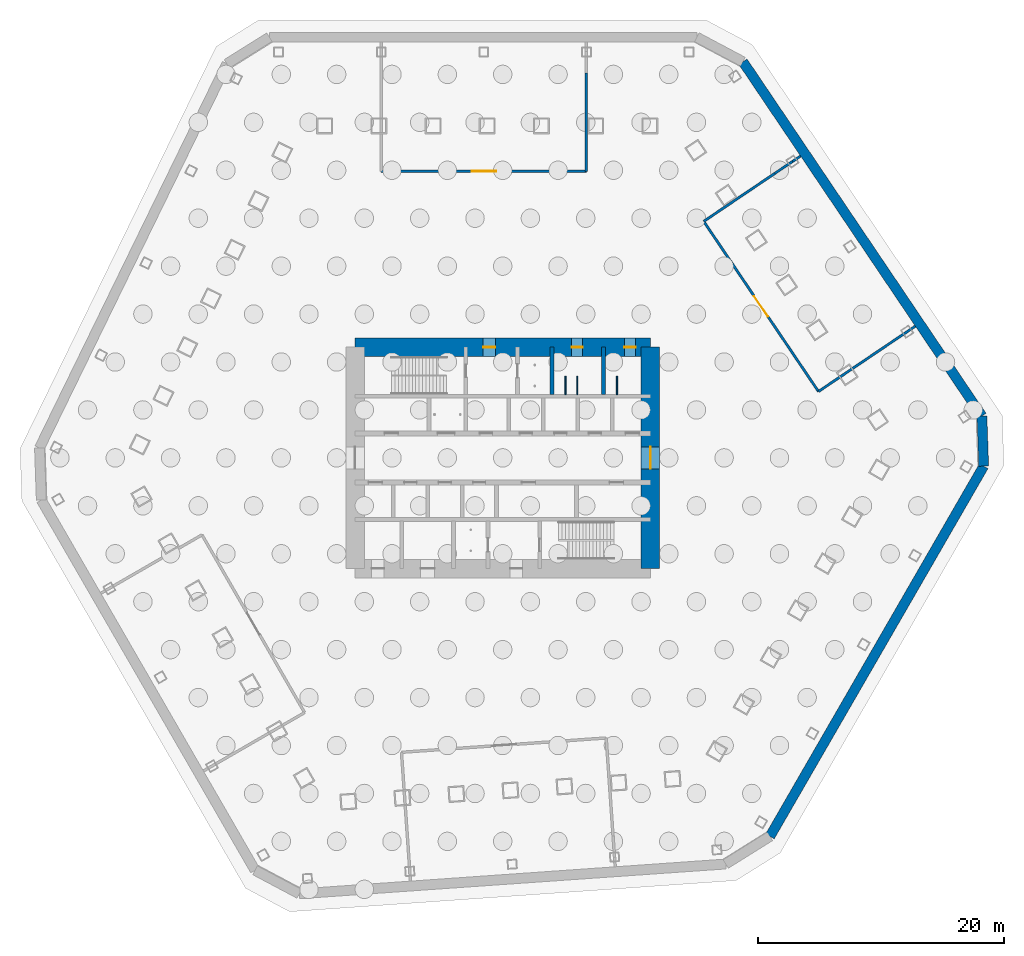
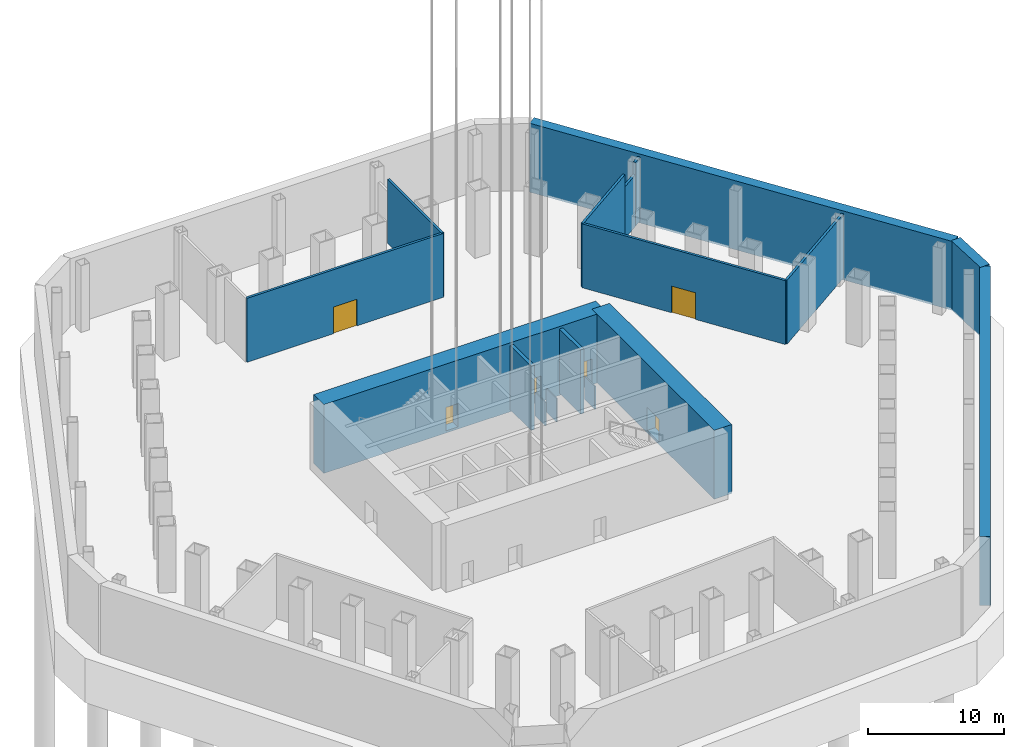
# One storey, part 4 of 12: 17 walls, 6 doors, 6 openings.
"""IFC4 building model written with IfcOpenShell, lengths in metres."""

import ifcopenshell
import ifcopenshell.guid

model = None  # the IFC model being written
_history = None  # IfcOwnerHistory: only IFC2X3 demands one
_inside = {}  # id of a spatial element -> (the spatial element, [elements in it])
_under = {}  # id of a project, library or spatial element -> (it, [spatial elements below it])
_declared = {}  # id of a project -> (the project, [libraries it declares])
_typed = {}  # id of a type object -> (the type object, [elements of that type])
_made_of = {}  # id of a material, layer set ... -> (it, [elements and type objects made of it])


def new_model(schema):
    """Start an empty IFC model of exactly this schema.

    Asked for "IFC4X3", IfcOpenShell would pick the latest addendum, in which some entities
    have other attributes; the version numbers below select the first issue.
    IFC2X3 requires an IfcOwnerHistory on every rooted entity: one is made here for all.
    """
    global model, _history
    if schema == "IFC4X3":
        model = ifcopenshell.file(schema_version=(4, 3, 0, 0))
    else:
        model = ifcopenshell.file(schema=schema)
    _inside.clear()
    _under.clear()
    _declared.clear()
    _typed.clear()
    _made_of.clear()
    _history = None
    if model.schema == "IFC2X3":
        org = make("IfcOrganization", Name="unknown")
        user = make(
            "IfcPersonAndOrganization",
            ThePerson=make("IfcPerson", FamilyName="unknown"),
            TheOrganization=org,
        )
        app = make(
            "IfcApplication",
            ApplicationDeveloper=org,
            Version="unknown",
            ApplicationFullName="unknown",
            ApplicationIdentifier="unknown",
        )
        _history = make(
            "IfcOwnerHistory",
            OwningUser=user,
            OwningApplication=app,
            ChangeAction="ADDED",
            CreationDate=0,
        )
    return model


def make(cls, **values):
    """One entity of the class cls with the attributes given. An attribute that is None is left unset."""
    return model.create_entity(
        cls, **{name: value for name, value in values.items() if value is not None}
    )


def rooted(cls, **values):
    """An entity with a GlobalId (a new one), such as an element, a storey or a relation."""
    return make(cls, GlobalId=ifcopenshell.guid.new(), OwnerHistory=_history, **values)


def si_unit(unit_type, name, prefix=None):
    """IfcSIUnit, for example si_unit("LENGTHUNIT", "METRE", prefix="MILLI")."""
    return make("IfcSIUnit", UnitType=unit_type, Prefix=prefix, Name=name)


def assignment(units):
    """IfcUnitAssignment: the units of a project."""
    return None if units is None else make("IfcUnitAssignment", Units=units)


def point(xyz):
    """IfcCartesianPoint."""
    return None if xyz is None else make("IfcCartesianPoint", Coordinates=xyz)


def direction(xyz):
    """IfcDirection."""
    return None if xyz is None else make("IfcDirection", DirectionRatios=xyz)


def frame(location, z_axis=None, x_axis=None):
    """IfcAxis2Placement3D, a coordinate frame: its origin and axes. An axis left out is left unset."""
    return make(
        "IfcAxis2Placement3D",
        Location=point(location),
        Axis=direction(z_axis),
        RefDirection=direction(x_axis),
    )


def frame_2d(location, x_axis=None):
    """IfcAxis2Placement2D, a coordinate frame in the plane: its origin and x axis."""
    return make(
        "IfcAxis2Placement2D", Location=point(location), RefDirection=direction(x_axis)
    )


def origin():
    """The frame at (0, 0, 0) with its axes left unset."""
    return frame((0.0, 0.0, 0.0))


def place(relative_to, where):
    """IfcLocalPlacement: puts the frame where relative to a parent placement (None: the world)."""
    return make(
        "IfcLocalPlacement", PlacementRelTo=relative_to, RelativePlacement=where
    )


def context(
    kind, dimensions, precision=None, world=None, true_north=None, identifier=None
):
    """IfcGeometricRepresentationContext, for example the 3D "Model" context."""
    return make(
        "IfcGeometricRepresentationContext",
        ContextIdentifier=identifier,
        ContextType=kind,
        CoordinateSpaceDimension=dimensions,
        Precision=precision,
        WorldCoordinateSystem=world,
        TrueNorth=true_north,
    )


def subcontext(parent, identifier, kind, view, scale=None):
    """IfcGeometricRepresentationSubContext, for example "Body" below "Model"."""
    return make(
        "IfcGeometricRepresentationSubContext",
        ContextIdentifier=identifier,
        ContextType=kind,
        ParentContext=parent,
        TargetScale=scale,
        TargetView=view,
    )


def project(units=None, contexts=None):
    """IfcProject with its units and contexts."""
    return rooted(
        "IfcProject",
        Name="project",
        RepresentationContexts=contexts,
        UnitsInContext=assignment(units),
    )


def spatial(cls, under=None, at=None, **own):
    """A site, building, storey or space (cls), placed at a placement, below another one or the project."""
    s = rooted(cls, ObjectPlacement=at, **own)
    if under is not None:
        _under.setdefault(under.id(), (under, []))[1].append(s)
    return s


def profile(cls, at=None, kind="AREA", **sizes):
    """A parametric profile (cls). Its sizes go by their IFC names, for example OverallWidth=200.0."""
    return make(cls, ProfileType=kind, Position=at, **sizes)


def rectangle(**sizes):
    """IfcRectangleProfileDef."""
    return profile("IfcRectangleProfileDef", **sizes)


def extrude(swept, where, along, depth):
    """IfcExtrudedAreaSolid: the profile swept, set in the frame where, extruded along a direction by depth."""
    return make(
        "IfcExtrudedAreaSolid",
        SweptArea=swept,
        Position=where,
        ExtrudedDirection=direction(along),
        Depth=depth,
    )


def shape(context_of_items, identifier, shape_type, items):
    """IfcShapeRepresentation: the items that make up one representation, for example the "Body"."""
    return make(
        "IfcShapeRepresentation",
        ContextOfItems=context_of_items,
        RepresentationIdentifier=identifier,
        RepresentationType=shape_type,
        Items=items,
    )


def material(Name=None, Category=None):
    """IfcMaterial."""
    return make("IfcMaterial", Name=Name, Category=Category)


def layer(
    of_material, thickness, ventilated=None, Name=None, Category=None, Priority=None
):
    """IfcMaterialLayer: one layer of a wall or slab, of a material (None: an air gap)."""
    return make(
        "IfcMaterialLayer",
        Material=of_material,
        LayerThickness=thickness,
        IsVentilated=ventilated,
        Name=Name,
        Category=Category,
        Priority=Priority,
    )


def layer_set(layers, Name=None):
    """IfcMaterialLayerSet."""
    return make("IfcMaterialLayerSet", MaterialLayers=layers, LayerSetName=Name)


def made_of(thing, what):
    """Note that an element or type object is made of a material, layer set ...; save() writes the relation."""
    if what is not None:
        _made_of.setdefault(what.id(), (what, []))[1].append(thing)
    return thing


def type_object(cls, material=None, **own):
    """A type object (cls), such as IfcWallType, which elements share."""
    return made_of(rooted(cls, **own), material)


def element(
    cls,
    number,
    at=None,
    inside=None,
    cuts=None,
    type_object=None,
    material=None,
    context=None,
    identifier="Body",
    shape_type=None,
    held_by="IfcProductDefinitionShape",
    body=None,
    shapes=None,
    **own,
):
    """One element of the class cls, such as IfcWall. Its Tag is "e" and its number.

    at: its placement. inside: the storey or other place that contains it. cuts: it is an
    opening in that element (IfcRelVoidsElement). A single representation is given by context,
    identifier, shape_type and body (its items); several are given by shapes. held_by: the class
    of the entity that holds the representations. save() writes the other relations.
    """
    e = rooted(cls, Tag="e%d" % number, ObjectPlacement=at, **own)
    if body is not None:
        shapes = [shape(context, identifier, shape_type, body)]
    if shapes is not None:
        e.Representation = make(held_by, Representations=shapes)
    if inside is not None:
        _inside.setdefault(inside.id(), (inside, []))[1].append(e)
    if cuts is not None:
        rooted(
            "IfcRelVoidsElement", RelatingBuildingElement=cuts, RelatedOpeningElement=e
        )
    if type_object is not None:
        _typed.setdefault(type_object.id(), (type_object, []))[1].append(e)
    return made_of(e, material)


def fill(opening, filler):
    """IfcRelFillsElement: the door or window that sits in an opening."""
    return rooted(
        "IfcRelFillsElement",
        RelatingOpeningElement=opening,
        RelatedBuildingElement=filler,
    )


def aggregate(whole, parts):
    """IfcRelAggregates: a whole, such as a stair, and the parts it consists of."""
    return rooted("IfcRelAggregates", RelatingObject=whole, RelatedObjects=parts)


def save(model, path):
    """Write the relations noted so far, then the file.

    IfcRelAggregates (storeys below a building ...), IfcRelContainedInSpatialStructure (elements
    in a storey), IfcRelDefinesByType, IfcRelAssociatesMaterial and IfcRelDeclares: one each for
    every whole, place, type object, material and project.
    """
    for whole, parts in _under.values():
        aggregate(whole, parts)
    for where, things in _inside.values():
        rooted(
            "IfcRelContainedInSpatialStructure",
            RelatedElements=things,
            RelatingStructure=where,
        )
    for kind, things in _typed.values():
        rooted("IfcRelDefinesByType", RelatedObjects=things, RelatingType=kind)
    for what, things in _made_of.values():
        rooted("IfcRelAssociatesMaterial", RelatedObjects=things, RelatingMaterial=what)
    for by, libraries in _declared.values():
        rooted("IfcRelDeclares", RelatingContext=by, RelatedDefinitions=libraries)
    model.write(path)


model = new_model("IFC4")

# Units and contexts
model_context = context("Model", 3, precision=1e-05, world=origin(), true_north=direction((0.0, 1.0)))
body_context = subcontext(model_context, "Body", "Model", "MODEL_VIEW")
ifc_project = project(units=[si_unit("LENGTHUNIT", "METRE"), si_unit("AREAUNIT", "SQUARE_METRE"), si_unit("VOLUMEUNIT", "CUBIC_METRE"), si_unit("PLANEANGLEUNIT", "RADIAN"), si_unit("MASSUNIT", "GRAM", prefix="KILO")], contexts=[model_context])

# Site, building, storey
site_placement = place(None, origin())
site = spatial("IfcSite", under=ifc_project, at=site_placement, CompositionType="ELEMENT")
building_placement = place(site_placement, origin())
building = spatial("IfcBuilding", under=site, at=building_placement, Name="Qingtian Harvest Tower", CompositionType="ELEMENT")
storey_placement = place(building_placement, frame((0.0, 0.0, -12.0)))
storey = spatial("IfcBuildingStorey", under=building, at=storey_placement, Name="B2", CompositionType="ELEMENT", Elevation=-12.0)

# Walls
ifc_material_1 = material(Name="Concrete fc' 42 MPa", Category="concrete")
ifc_layer_1 = layer(ifc_material_1, 0.800048828125)
ifc_layer_set_1 = layer_set([ifc_layer_1], Name="Basement retaining wall RW1 800")
wall_type_1 = type_object("IfcWallType", Name="Basement retaining wall RW1 800", PredefinedType="SHEAR", material=ifc_layer_set_1)
wall_1_placement = place(storey_placement, frame((19.526611328125, 32.210205078125, -0.199951171875), z_axis=(0.0, 0.0, 1.0), x_axis=(0.559192197891, -0.829038048474, 0.0)))
element("IfcWall", 1, at=wall_1_placement, inside=storey, type_object=wall_type_1, Name="Retaining wall RW1 B2 3", PredefinedType="SHEAR", context=body_context, shape_type="SweptSolid", body=[
    extrude(rectangle(XDim=34.754638671875, YDim=0.800048828125, at=frame_2d((17.37744140625, 0.0))), origin(), (0.0, 0.0, 1.0), 6.199951171875),
])
wall_2_placement = place(storey_placement, frame((38.961181640625, 3.397216796875, -0.199951171875), z_axis=(0.0, 0.0, 1.0), x_axis=(0.034904306503, -0.999390659046, 0.0)))
element("IfcWall", 2, at=wall_2_placement, inside=storey, type_object=wall_type_1, Name="Retaining wall RW1 B2 4", PredefinedType="SHEAR", context=body_context, shape_type="SweptSolid", body=[
    extrude(rectangle(XDim=4.07080078125, YDim=0.800048828125, at=frame_2d((2.035400390625, 0.0))), origin(), (0.0, 0.0, 1.0), 6.199951171875),
])
wall_3_placement = place(storey_placement, frame((39.103271484375, -0.671142578125, -0.199951171875), z_axis=(0.0, 0.0, 1.0), x_axis=(-0.499999733485, -0.866025557657, 0.0)))
element("IfcWall", 3, at=wall_3_placement, inside=storey, type_object=wall_type_1, Name="Retaining wall RW1 B2 5", PredefinedType="SHEAR", context=body_context, shape_type="SweptSolid", body=[
    extrude(rectangle(XDim=34.7548828125, YDim=0.800048828125, at=frame_2d((17.37744140625, 0.0))), origin(), (0.0, 0.0, 1.0), 6.199951171875),
])
ifc_material_2 = material(Name="Precast concrete shaft panel", Category="concrete")
ifc_layer_2 = layer(ifc_material_2, 0.300048828125)
ifc_layer_set_2 = layer_set([ifc_layer_2], Name="Core shaft partition SW1 300")
wall_type_2 = type_object("IfcWallType", Name="Core shaft partition SW1 300", PredefinedType="PARTITIONING", material=ifc_layer_set_2)
for number, where, z_axis, x_axis, name in (
    (4, (4.0, 5.14990234375, 0.0), (0.0, 0.0, 1.0), (0.0, 1.0, 0.0), "Core shaft partition XN3 B2"),
    (5, (8.199951171875, 5.14990234375, 0.0), (0.0, 0.0, 1.0), (0.0, 1.0, 0.0), "Core shaft partition XN4 B2"),
):
    element("IfcWall", number, at=place(storey_placement, frame(where, z_axis=z_axis, x_axis=x_axis)), inside=storey, type_object=wall_type_2, Name=name, PredefinedType="PARTITIONING", context=body_context, shape_type="SweptSolid", body=[
        extrude(rectangle(XDim=3.85009765625, YDim=0.300048828125, at=frame_2d((1.925048828125, 0.0))), origin(), (0.0, 0.0, 1.0), 5.780029296875),
    ])

# Wall, openings, doors
ifc_material_3 = material(Name="Concrete fc' 70 MPa", Category="concrete")
ifc_layer_3 = layer(ifc_material_3, 1.5)
ifc_layer_set_3 = layer_set([ifc_layer_3], Name="Core wall RC1 1500")
wall_type_3 = type_object("IfcWallType", Name="Core wall RC1 1500", PredefinedType="SHEAR", material=ifc_layer_set_3)
wall_4_placement = place(storey_placement, frame((-12.0, 9.0, -0.199951171875), z_axis=(0.0, 0.0, 1.0), x_axis=(1.0, 0.0, 0.0)))
wall_4 = element("IfcWall", 6, at=wall_4_placement, inside=storey, type_object=wall_type_3, Name="Core wall CN B2", PredefinedType="SHEAR", context=body_context, shape_type="SweptSolid", body=[
    extrude(rectangle(XDim=24.0, YDim=1.5, at=frame_2d((12.0, 0.0))), origin(), (0.0, 0.0, 1.0), 6.199951171875),
])
opening_1_placement = place(wall_4_placement, frame((10.39990234375, 0.0, 0.199951171875)))
opening_1 = element("IfcOpeningElement", 7, at=opening_1_placement, cuts=wall_4, Name="Opening FD1", PredefinedType="OPENING", context=body_context, shape_type="SweptSolid", body=[
    extrude(rectangle(XDim=1.0, YDim=2.10009765625, at=frame_2d((0.5, 1.050048828125))), frame((0.0, 0.760009765625, 0.0), z_axis=(0.0, -1.0, 0.0), x_axis=(1.0, 0.0, 0.0)), (0.0, 0.0, 1.0), 1.52001953125),
])
opening_2_placement = place(wall_4_placement, frame((17.60009765625, 0.0, 0.199951171875)))
opening_2 = element("IfcOpeningElement", 8, at=opening_2_placement, cuts=wall_4, Name="Opening D1", PredefinedType="OPENING", context=body_context, shape_type="SweptSolid", body=[
    extrude(rectangle(XDim=0.89990234375, YDim=2.10009765625, at=frame_2d((0.449951171875, 1.050048828125))), frame((0.0, 0.760009765625, 0.0), z_axis=(0.0, -1.0, 0.0), x_axis=(1.0, 0.0, 0.0)), (0.0, 0.0, 1.0), 1.52001953125),
])
opening_3_placement = place(wall_4_placement, frame((21.89990234375, 0.0, 0.199951171875)))
opening_3 = element("IfcOpeningElement", 9, at=opening_3_placement, cuts=wall_4, Name="Opening D1", PredefinedType="OPENING", context=body_context, shape_type="SweptSolid", body=[
    extrude(rectangle(XDim=0.89990234375, YDim=2.10009765625, at=frame_2d((0.449951171875, 1.050048828125))), frame((0.0, 0.760009765625, 0.0), z_axis=(0.0, -1.0, 0.0), x_axis=(1.0, 0.0, 0.0)), (0.0, 0.0, 1.0), 1.52001953125),
])
ifc_material_4 = material(Name="Steel-faced door leaf", Category="steel")
door_type_1 = type_object("IfcDoorType", Name="Fire door FD1 single 1 HR", OperationType="SINGLE_SWING_LEFT", PredefinedType="DOOR", material=ifc_material_4)
door_1_placement = place(opening_1_placement, origin())
door_1 = element("IfcDoor", 10, at=door_1_placement, inside=storey, type_object=door_type_1, Name="V1 door B2", OperationType="SINGLE_SWING_RIGHT", OverallHeight=2.10009765625, OverallWidth=1.0, PredefinedType="DOOR", context=body_context, shape_type="SweptSolid", body=[
    extrude(rectangle(XDim=1.0, YDim=2.10009765625, at=frame_2d((0.5, 1.050048828125))), frame((0.0, 0.02490234375, 0.0), z_axis=(0.0, -1.0, 0.0), x_axis=(1.0, 0.0, 0.0)), (0.0, 0.0, 1.0), 0.050048828125),
])
fill(opening_1, door_1)
ifc_material_5 = material(Name="Laminated timber door leaf", Category="wood")
door_type_2 = type_object("IfcDoorType", Name="Toilet door D1 single", OperationType="SINGLE_SWING_LEFT", PredefinedType="DOOR", material=ifc_material_5)
door_2_placement = place(opening_2_placement, origin())
door_2 = element("IfcDoor", 11, at=door_2_placement, inside=storey, type_object=door_type_2, Name="WCM door B2", OperationType="SINGLE_SWING_RIGHT", OverallHeight=2.10009765625, OverallWidth=0.89990234375, PredefinedType="DOOR", context=body_context, shape_type="SweptSolid", body=[
    extrude(rectangle(XDim=0.89990234375, YDim=2.10009765625, at=frame_2d((0.449951171875, 1.050048828125))), frame((0.0, 0.02490234375, 0.0), z_axis=(0.0, -1.0, 0.0), x_axis=(1.0, 0.0, 0.0)), (0.0, 0.0, 1.0), 0.050048828125),
])
fill(opening_2, door_2)
door_3_placement = place(opening_3_placement, origin())
door_3 = element("IfcDoor", 12, at=door_3_placement, inside=storey, type_object=door_type_2, Name="WCF door B2", OperationType="SINGLE_SWING_RIGHT", OverallHeight=2.10009765625, OverallWidth=0.89990234375, PredefinedType="DOOR", context=body_context, shape_type="SweptSolid", body=[
    extrude(rectangle(XDim=0.89990234375, YDim=2.10009765625, at=frame_2d((0.449951171875, 1.050048828125))), frame((0.0, 0.02490234375, 0.0), z_axis=(0.0, -1.0, 0.0), x_axis=(1.0, 0.0, 0.0)), (0.0, 0.0, 1.0), 0.050048828125),
])
fill(opening_3, door_3)

# Wall, opening, door
wall_5_placement = place(storey_placement, frame((12.0, -9.0, -0.199951171875), z_axis=(0.0, 0.0, 1.0), x_axis=(0.0, 1.0, 0.0)))
wall_5 = element("IfcWall", 13, at=wall_5_placement, inside=storey, type_object=wall_type_3, Name="Core wall CE B2", PredefinedType="SHEAR", context=body_context, shape_type="SweptSolid", body=[
    extrude(rectangle(XDim=18.0, YDim=1.5, at=frame_2d((9.0, 0.0))), origin(), (0.0, 0.0, 1.0), 6.199951171875),
])
opening_4_placement = place(wall_5_placement, frame((8.10009765625, 0.0, 0.199951171875)))
opening_4 = element("IfcOpeningElement", 14, at=opening_4_placement, cuts=wall_5, Name="Opening FD2", PredefinedType="OPENING", context=body_context, shape_type="SweptSolid", body=[
    extrude(rectangle(XDim=1.800048828125, YDim=2.10009765625, at=frame_2d((0.89990234375, 1.050048828125))), frame((0.0, 0.760009765625, 0.0), z_axis=(0.0, -1.0, 0.0), x_axis=(1.0, 0.0, 0.0)), (0.0, 0.0, 1.0), 1.52001953125),
])
ifc_material_6 = material(Name="Steel-faced door leaf", Category="steel")
door_type_3 = type_object("IfcDoorType", Name="Fire door FD2 double 1 HR", OperationType="DOUBLE_DOOR_DOUBLE_SWING", PredefinedType="DOOR", material=ifc_material_6)
door_4_placement = place(opening_4_placement, origin())
door_4 = element("IfcDoor", 15, at=door_4_placement, inside=storey, type_object=door_type_3, Name="LOBBY-E door B2", OperationType="DOUBLE_DOOR_DOUBLE_SWING", OverallHeight=2.10009765625, OverallWidth=1.800048828125, PredefinedType="DOOR", context=body_context, shape_type="SweptSolid", body=[
    extrude(rectangle(XDim=1.800048828125, YDim=2.10009765625, at=frame_2d((0.89990234375, 1.050048828125))), frame((0.0, 0.02490234375, 0.0), z_axis=(0.0, -1.0, 0.0), x_axis=(1.0, 0.0, 0.0)), (0.0, 0.0, 1.0), 0.050048828125),
])
fill(opening_4, door_4)

ifc_material_7 = material(Name="Blockwork fire wall", Category="masonry")
ifc_layer_4 = layer(ifc_material_7, 0.199951171875)
ifc_layer_set_4 = layer_set([ifc_layer_4], Name="Fire partition FW1 200")
wall_type_4 = type_object("IfcWallType", Name="Fire partition FW1 200", PredefinedType="PARTITIONING", material=ifc_layer_set_4)
wall_6_placement = place(storey_placement, frame((-9.87890625, 23.300048828125, 0.0), z_axis=(0.0, 0.0, 1.0), x_axis=(1.0, 0.0, 0.0)))
wall_6 = element("IfcWall", 16, at=wall_6_placement, inside=storey, type_object=wall_type_4, Name="Water tank room wall B2", PredefinedType="PARTITIONING", context=body_context, shape_type="SweptSolid", body=[
    extrude(rectangle(XDim=16.68359375, YDim=0.199951171875, at=frame_2d((8.341796875, 0.0))), origin(), (0.0, 0.0, 1.0), 5.75),
])
opening_5_placement = place(wall_6_placement, frame((7.341796875, 0.0, 0.0)))
opening_5 = element("IfcOpeningElement", 17, at=opening_5_placement, cuts=wall_6, Name="Opening FD3", PredefinedType="OPENING", context=body_context, shape_type="SweptSolid", body=[
    extrude(rectangle(XDim=2.0, YDim=2.39990234375, at=frame_2d((1.0, 1.199951171875))), frame((0.0, 0.10986328125, 0.0), z_axis=(0.0, -1.0, 0.0), x_axis=(1.0, 0.0, 0.0)), (0.0, 0.0, 1.0), 0.219970703125),
])
ifc_material_8 = material(Name="Steel-faced door leaf", Category="steel")
door_type_4 = type_object("IfcDoorType", Name="Fire door FD3 double 2 HR", OperationType="DOUBLE_DOOR_DOUBLE_SWING", PredefinedType="DOOR", material=ifc_material_8)
door_5_placement = place(opening_5_placement, origin())
door_5 = element("IfcDoor", 18, at=door_5_placement, inside=storey, type_object=door_type_4, Name="Water tank room door B2", OperationType="DOUBLE_DOOR_DOUBLE_SWING", OverallHeight=2.39990234375, OverallWidth=2.0, PredefinedType="DOOR", context=body_context, shape_type="SweptSolid", body=[
    extrude(rectangle(XDim=2.0, YDim=2.39990234375, at=frame_2d((1.0, 1.199951171875))), frame((0.0, 0.02490234375, 0.0), z_axis=(0.0, -1.0, 0.0), x_axis=(1.0, 0.0, 0.0)), (0.0, 0.0, 1.0), 0.050048828125),
])
fill(opening_5, door_5)

# Walls
wall_7_placement = place(storey_placement, frame((24.21630859375, 24.5419921875, 0.0), z_axis=(0.0, 0.0, 1.0), x_axis=(-0.829001192095, -0.559246835937, 0.0)))
element("IfcWall", 19, at=wall_7_placement, inside=storey, type_object=wall_type_4, Name="Substation wall B2", PredefinedType="PARTITIONING", context=body_context, shape_type="SweptSolid", body=[
    extrude(rectangle(XDim=0.779296875, YDim=0.199951171875, at=frame_2d((0.3896484375, 0.0))), origin(), (0.0, 0.0, 1.0), 5.75),
])
wall_8_placement = place(storey_placement, frame((33.545654296875, 10.710693359375, 0.0), z_axis=(0.0, 0.0, 1.0), x_axis=(-0.829037218051, -0.559193429045, 0.0)))
element("IfcWall", 20, at=wall_8_placement, inside=storey, type_object=wall_type_4, Name="Substation wall B2", PredefinedType="PARTITIONING", context=body_context, shape_type="SweptSolid", body=[
    extrude(rectangle(XDim=9.499755859375, YDim=0.199951171875, at=frame_2d((4.75, 0.0))), origin(), (0.0, 0.0, 1.0), 5.75),
])

# Wall, opening, door
wall_9_placement = place(storey_placement, frame((16.340576171875, 19.229736328125, 0.0), z_axis=(0.0, 0.0, 1.0), x_axis=(0.559193597406, -0.829037104489, 0.0)))
wall_9 = element("IfcWall", 21, at=wall_9_placement, inside=storey, type_object=wall_type_4, Name="Substation wall B2", PredefinedType="PARTITIONING", context=body_context, shape_type="SweptSolid", body=[
    extrude(rectangle(XDim=16.68359375, YDim=0.199951171875, at=frame_2d((8.341796875, 0.0))), origin(), (0.0, 0.0, 1.0), 5.75),
])
opening_6_placement = place(wall_9_placement, frame((7.341796875, 0.0, 0.0)))
opening_6 = element("IfcOpeningElement", 22, at=opening_6_placement, cuts=wall_9, Name="Opening FD3", PredefinedType="OPENING", context=body_context, shape_type="SweptSolid", body=[
    extrude(rectangle(XDim=2.0, YDim=2.39990234375, at=frame_2d((1.0, 1.199951171875))), frame((0.0, 0.10986328125, 0.0), z_axis=(0.0, -1.0, 0.0), x_axis=(1.0, 0.0, 0.0)), (0.0, 0.0, 1.0), 0.219970703125),
])
door_6_placement = place(opening_6_placement, origin())
door_6 = element("IfcDoor", 23, at=door_6_placement, inside=storey, type_object=door_type_4, Name="Substation door B2", OperationType="DOUBLE_DOOR_DOUBLE_SWING", OverallHeight=2.39990234375, OverallWidth=2.0, PredefinedType="DOOR", context=body_context, shape_type="SweptSolid", body=[
    extrude(rectangle(XDim=2.0, YDim=2.39990234375, at=frame_2d((1.0, 1.199951171875))), frame((0.0, 0.02490234375, 0.0), z_axis=(0.0, -1.0, 0.0), x_axis=(1.0, 0.0, 0.0)), (0.0, 0.0, 1.0), 0.050048828125),
])
fill(opening_6, door_6)

# Walls
wall_10_placement = place(storey_placement, frame((6.8046875, 31.277099609375, 0.0), z_axis=(0.0, 0.0, 1.0), x_axis=(0.0, -1.0, 0.0)))
element("IfcWall", 24, at=wall_10_placement, inside=storey, type_object=wall_type_4, Name="Water tank room wall B2", PredefinedType="PARTITIONING", context=body_context, shape_type="SweptSolid", body=[
    extrude(rectangle(XDim=7.97705078125, YDim=0.199951171875, at=frame_2d((3.988525390625, 0.0))), origin(), (0.0, 0.0, 1.0), 5.75),
])
wall_11_placement = place(storey_placement, frame((23.5703125, 24.106201171875, 0.0), z_axis=(0.0, 0.0, 1.0), x_axis=(-0.829087224141, -0.559119284917, 0.0)))
element("IfcWall", 25, at=wall_11_placement, inside=storey, type_object=wall_type_4, Name="Substation wall B2", PredefinedType="PARTITIONING", context=body_context, shape_type="SweptSolid", body=[
    extrude(rectangle(XDim=1.74365234375, YDim=0.199951171875, at=frame_2d((0.871826171875, 0.0))), origin(), (0.0, 0.0, 1.0), 4.64990234375),
])
wall_12_placement = place(storey_placement, frame((22.124755859375, 23.13134765625, 0.0), z_axis=(0.0, 0.0, 1.0), x_axis=(-0.829028744145, -0.559205991904, 0.0)))
element("IfcWall", 26, at=wall_12_placement, inside=storey, type_object=wall_type_4, Name="Substation wall B2", PredefinedType="PARTITIONING", context=body_context, shape_type="SweptSolid", body=[
    extrude(rectangle(XDim=6.97705078125, YDim=0.199951171875, at=frame_2d((3.488525390625, 0.0))), origin(), (0.0, 0.0, 1.0), 5.75),
])
ifc_material_9 = material(Name="Compact laminate cubicle partition", Category="plastic")
ifc_layer_5 = layer(ifc_material_9, 0.10009765625)
ifc_layer_set_5 = layer_set([ifc_layer_5], Name="WC cubicle partition WP1 100")
wall_type_5 = type_object("IfcWallType", Name="WC cubicle partition WP1 100", PredefinedType="PARTITIONING", material=ifc_layer_set_5)
for number, where, z_axis, x_axis, name in (
    (27, (5.10009765625, 5.14990234375, 0.0), (0.0, 0.0, 1.0), (0.0, 1.0, 0.0), "WC cubicle partition WCM B2"),
    (28, (6.050048828125, 5.14990234375, 0.0), (0.0, 0.0, 1.0), (0.0, 1.0, 0.0), "WC cubicle partition WCM B2"),
    (29, (9.300048828125, 5.14990234375, 0.0), (0.0, 0.0, 1.0), (0.0, 1.0, 0.0), "WC cubicle partition WCF B2"),
):
    element("IfcWall", number, at=place(storey_placement, frame(where, z_axis=z_axis, x_axis=x_axis)), inside=storey, type_object=wall_type_5, Name=name, PredefinedType="PARTITIONING", context=body_context, shape_type="SweptSolid", body=[
        extrude(rectangle(XDim=1.5, YDim=0.10009765625, at=frame_2d((0.75, 0.0))), origin(), (0.0, 0.0, 1.0), 2.10009765625),
    ])

save(model, "model.ifc")
